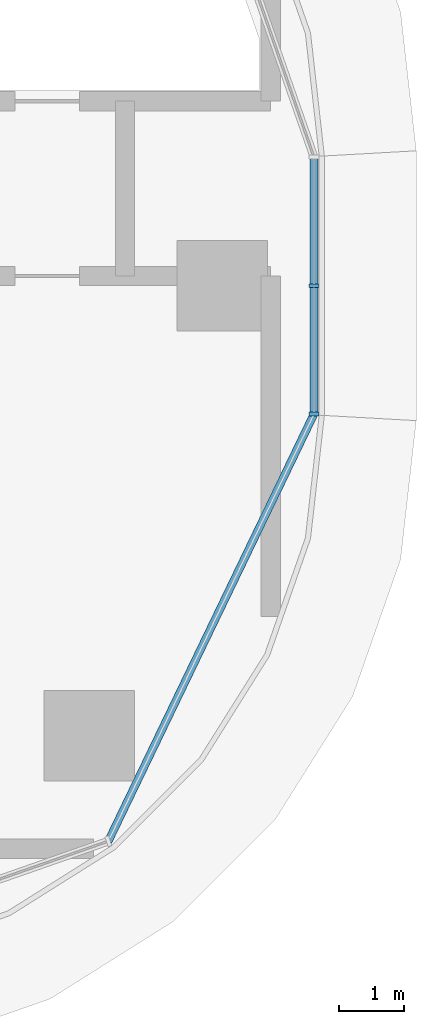
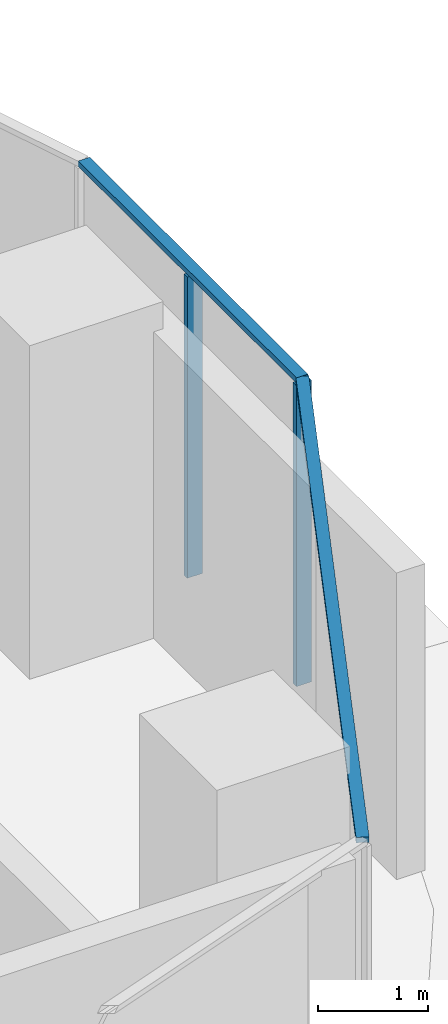
# One storey, part 7 of 36: 4 members, 2 elements without a shape of their own.
"""IFC4 building model written with IfcOpenShell, lengths in metres."""

from ifc_helpers import new_model, si_unit, direction, frame, origin, origin_2d, place, context, subcontext, project, spatial, rectangle, extrude, material, material_profile, profile_set, type_object, element, aggregate, save


model = new_model("IFC4")

# Units and contexts
model_context = context("Model", 3, precision=1e-05, world=origin(), true_north=direction((0.0, 1.0)))
body_context = subcontext(model_context, "Body", "Model", "MODEL_VIEW")
ifc_project = project(units=[si_unit("LENGTHUNIT", "METRE"), si_unit("AREAUNIT", "SQUARE_METRE"), si_unit("VOLUMEUNIT", "CUBIC_METRE"), si_unit("PLANEANGLEUNIT", "RADIAN"), si_unit("MASSUNIT", "GRAM", prefix="KILO")], contexts=[model_context])

# Site, building, storey
site_placement = place(None, origin())
site = spatial("IfcSite", under=ifc_project, at=site_placement, CompositionType="ELEMENT")
building_placement = place(site_placement, origin())
building = spatial("IfcBuilding", under=site, at=building_placement, Name="Ogive Portal Towers", CompositionType="ELEMENT")
storey_placement = place(building_placement, frame((0.0, 0.0, 70.5)))
storey = spatial("IfcBuildingStorey", under=building, at=storey_placement, Name="L16", CompositionType="ELEMENT", Elevation=70.5)

# Curtain wall, members
ifc_material_1 = material(Name="Glass, clear low-iron insulated glazing", Category="glass")
curtain_wall_type = type_object("IfcCurtainWallType", Name="CW FRONT RIBBON 4500", PredefinedType="NOTDEFINED", material=ifc_material_1)
curtain_wall_1_placement = place(storey_placement, origin())
curtain_wall_1 = element("IfcCurtainWall", 1, at=curtain_wall_1_placement, inside=storey, type_object=curtain_wall_type, Name="A:L16:f09:cw0", PredefinedType="NOTDEFINED")
ifc_material_2 = material(Name="Aluminium 6063 anodised", Category="aluminium")
ifc_material_profile_1 = material_profile(ifc_material_2, rectangle(XDim=0.159912109375, YDim=0.06005859375, at=origin_2d()), Name="AL 60x160")
ifc_profile_set_1 = profile_set([ifc_material_profile_1], Name="Aluminium 6063 anodised")
member_type_1 = type_object("IfcMemberType", Name="CW MULLION 60x160", PredefinedType="MULLION", material=ifc_profile_set_1)
member_1_placement = place(storey_placement, frame((95.919921875, 28.518310546875, 0.0), z_axis=(0.0, 0.0, 1.0), x_axis=(-1.0, 0.0, 0.0)))
member_1 = element("IfcMember", 2, at=member_1_placement, type_object=member_type_1, Name="mullion", PredefinedType="MULLION", context=body_context, shape_type="SweptSolid", body=[
    extrude(rectangle(XDim=0.159912109375, YDim=0.06005859375, at=origin_2d()), origin(), (0.0, 0.0, 1.0), 3.340087890625),
])
member_2_placement = place(storey_placement, frame((95.919921875, 30.5, 0.0), z_axis=(0.0, 0.0, 1.0), x_axis=(-1.0, 0.0, 0.0)))
member_2 = element("IfcMember", 3, at=member_2_placement, type_object=member_type_1, Name="mullion", PredefinedType="MULLION", context=body_context, shape_type="SweptSolid", body=[
    extrude(rectangle(XDim=0.159912109375, YDim=0.06005859375, at=origin_2d()), origin(), (0.0, 0.0, 1.0), 3.340087890625),
])
ifc_material_profile_2 = material_profile(ifc_material_2, rectangle(XDim=0.1201171875, YDim=0.06005859375, at=origin_2d()), Name="AL 120x60")
ifc_profile_set_2 = profile_set([ifc_material_profile_2], Name="Aluminium 6063 anodised")
member_type_2 = type_object("IfcMemberType", Name="CW TRANSOM 60x120", PredefinedType="USERDEFINED", material=ifc_profile_set_2)
member_3_placement = place(storey_placement, frame((95.919921875, 28.518310546875, 3.3701171875), z_axis=(0.0, 1.0, 0.0), x_axis=(-1.0, 0.0, 0.0)))
member_3 = element("IfcMember", 4, at=member_3_placement, type_object=member_type_2, Name="transom", ObjectType="TRANSOM", PredefinedType="USERDEFINED", context=body_context, shape_type="SweptSolid", body=[
    extrude(rectangle(XDim=0.1201171875, YDim=0.06005859375, at=origin_2d()), origin(), (0.0, 0.0, 1.0), 3.968017578125),
])
aggregate(curtain_wall_1, [member_3, member_1, member_2])

# Curtain wall, member
curtain_wall_2_placement = place(storey_placement, origin())
curtain_wall_2 = element("IfcCurtainWall", 5, at=curtain_wall_2_placement, inside=storey, type_object=curtain_wall_type, Name="A:L16:f07:cwa", PredefinedType="NOTDEFINED")
member_4_placement = place(storey_placement, frame((92.741943359375, 21.9189453125, 3.3701171875), z_axis=(0.433871738997, 0.900974646757, 0.0), x_axis=(-0.900974646757, 0.433871738997, 0.0)))
member_4 = element("IfcMember", 6, at=member_4_placement, type_object=member_type_2, Name="transom", ObjectType="TRANSOM", PredefinedType="USERDEFINED", context=body_context, shape_type="SweptSolid", body=[
    extrude(rectangle(XDim=0.1201171875, YDim=0.06005859375, at=origin_2d()), origin(), (0.0, 0.0, 1.0), 7.32470703125),
])
aggregate(curtain_wall_2, [member_4])

save(model, "model.ifc")
